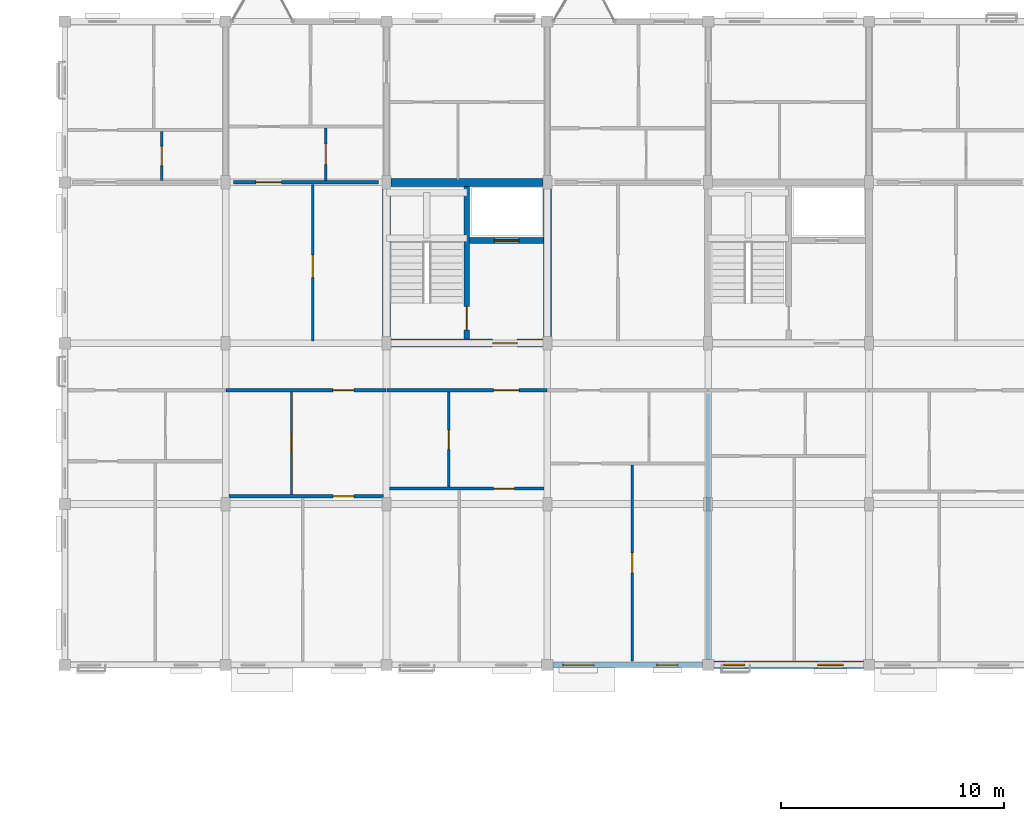
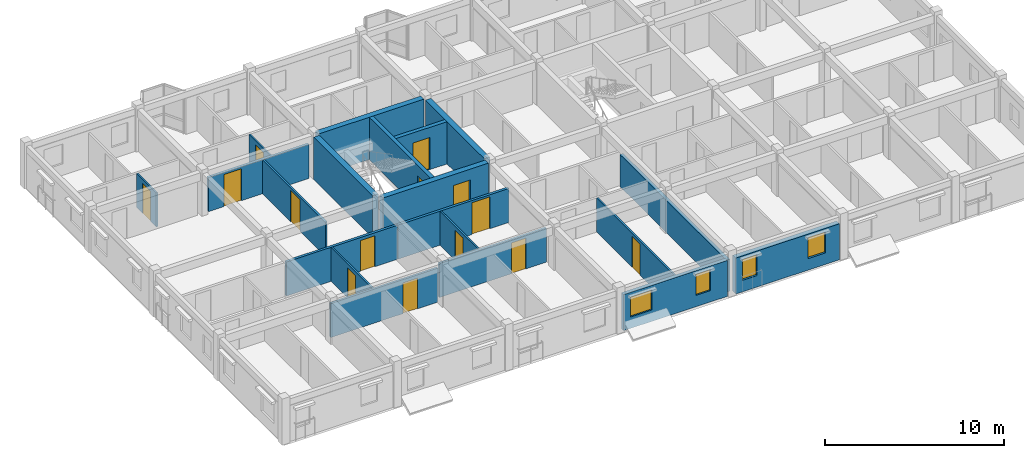
# One storey, part 27 of 38: 20 walls, 14 doors, 4 windows, 18 openings.
"""IFC4 building model written with IfcOpenShell, lengths in metres."""

from ifc_helpers import new_model, si_unit, direction, frame, frame_2d, origin, place, context, subcontext, project, spatial, rectangle, extrude, material, layer, layer_set, type_object, element, fill, save


model = new_model("IFC4")

# Units and contexts
model_context = context("Model", 3, precision=1e-05, world=origin(), true_north=direction((0.0, 1.0)))
body_context = subcontext(model_context, "Body", "Model", "MODEL_VIEW")
ifc_project = project(units=[si_unit("LENGTHUNIT", "METRE"), si_unit("AREAUNIT", "SQUARE_METRE"), si_unit("VOLUMEUNIT", "CUBIC_METRE"), si_unit("PLANEANGLEUNIT", "RADIAN"), si_unit("MASSUNIT", "GRAM", prefix="KILO"), si_unit("THERMODYNAMICTEMPERATUREUNIT", "KELVIN"), si_unit("POWERUNIT", "WATT")], contexts=[model_context])

# Site, building, storey
site_placement = place(None, origin())
site = spatial("IfcSite", under=ifc_project, at=site_placement, CompositionType="ELEMENT")
building_placement = place(site_placement, origin())
building = spatial("IfcBuilding", under=site, at=building_placement, Name="Tavuni Mirador Residences", CompositionType="ELEMENT")
storey_placement = place(building_placement, frame((0.0, 0.0, 32.85009765625)))
storey = spatial("IfcBuildingStorey", under=building, at=storey_placement, Name="L10", CompositionType="ELEMENT", Elevation=32.85009765625)

# Wall, opening, door
ifc_material_1 = material(Name="Precast concrete C40/50", Category="concrete")
ifc_layer_1 = layer(ifc_material_1, 0.25, Name="Precast concrete C40/50", Category="concrete")
ifc_layer_set_1 = layer_set([ifc_layer_1], Name="Precast concrete C40/50")
wall_type_1 = type_object("IfcWallType", Name="WT-COR250", PredefinedType="SHEAR", material=ifc_layer_set_1)
wall_1_placement = place(storey_placement, frame((28.800048828125, 158.580078125, 0.0), z_axis=(0.0, 0.0, 1.0), x_axis=(0.0, 1.0, 0.0)))
wall_1 = element("IfcWall", 1, at=wall_1_placement, inside=storey, type_object=wall_type_1, Name="CWALL-C5-L10-MID", PredefinedType="SHEAR", context=body_context, shape_type="SweptSolid", body=[
    extrude(rectangle(XDim=6.83984375, YDim=0.25, at=frame_2d((3.419921875, 0.0))), origin(), (0.0, 0.0, 1.0), 2.885009765625),
])
opening_1_placement = place(wall_1_placement, frame((0.419921875, 0.0, 0.0)))
opening_1 = element("IfcOpeningElement", 2, at=opening_1_placement, cuts=wall_1, Name="Opening D-01", PredefinedType="OPENING", context=body_context, shape_type="SweptSolid", body=[
    extrude(rectangle(XDim=1.050048828125, YDim=2.14990234375, at=frame_2d((0.52490234375, 1.074951171875))), frame((0.0, 0.135009765625, 0.0), z_axis=(0.0, -1.0, 0.0), x_axis=(1.0, 0.0, 0.0)), (0.0, 0.0, 1.0), 0.27001953125),
])
ifc_material_2 = material(Name="Solid core iroko timber", Category="wood")
door_type_1 = type_object("IfcDoorType", Name="DT-ST1050", OperationType="NOTDEFINED", PredefinedType="DOOR", material=ifc_material_2)
door_1_placement = place(opening_1_placement, origin())
door_1 = element("IfcDoor", 3, at=door_1_placement, inside=storey, type_object=door_type_1, Name="DR-2205", OperationType="SINGLE_SWING_LEFT", OverallHeight=2.14990234375, OverallWidth=1.050048828125, PredefinedType="DOOR", context=body_context, shape_type="SweptSolid", body=[
    extrude(rectangle(XDim=1.050048828125, YDim=2.14990234375, at=frame_2d((0.52490234375, 1.074951171875))), frame((0.0, 0.02490234375, 0.0), z_axis=(0.0, -1.0, 0.0), x_axis=(1.0, 0.0, 0.0)), (0.0, 0.0, 1.0), 0.050048828125),
])
fill(opening_1, door_1)

wall_2_placement = place(storey_placement, frame((28.925048828125, 163.0, 0.0), z_axis=(0.0, 0.0, 1.0), x_axis=(1.0, 0.0, 0.0)))
wall_2 = element("IfcWall", 4, at=wall_2_placement, inside=storey, type_object=wall_type_1, Name="CWALL-C5-L10-SHF", PredefinedType="SHEAR", context=body_context, shape_type="SweptSolid", body=[
    extrude(rectangle(XDim=3.294921875, YDim=0.25, at=frame_2d((1.6474609375, 0.0))), origin(), (0.0, 0.0, 1.0), 2.885009765625),
])
opening_2_placement = place(wall_2_placement, frame((1.10009765625, 0.0, 0.0)))
opening_2 = element("IfcOpeningElement", 5, at=opening_2_placement, cuts=wall_2, Name="Opening LD-01", PredefinedType="OPENING", context=body_context, shape_type="SweptSolid", body=[
    extrude(rectangle(XDim=1.10009765625, YDim=2.199951171875, at=frame_2d((0.550048828125, 1.10009765625))), frame((0.0, 0.135009765625, 0.0), z_axis=(0.0, -1.0, 0.0), x_axis=(1.0, 0.0, 0.0)), (0.0, 0.0, 1.0), 0.27001953125),
])
ifc_material_3 = material(Name="Structural steel S355", Category="steel")
door_type_2 = type_object("IfcDoorType", Name="DT-LD-FF", OperationType="SLIDING_TO_LEFT", PredefinedType="DOOR", material=ifc_material_3)
door_2_placement = place(opening_2_placement, origin())
door_2 = element("IfcDoor", 6, at=door_2_placement, inside=storey, type_object=door_type_2, Name="Lift landing door FL-C1 L10", OperationType="SLIDING_TO_LEFT", OverallHeight=2.199951171875, OverallWidth=1.10009765625, PredefinedType="DOOR", context=body_context, shape_type="SweptSolid", body=[
    extrude(rectangle(XDim=1.10009765625, YDim=2.199951171875, at=frame_2d((0.550048828125, 1.10009765625))), frame((0.0, 0.02490234375, 0.0), z_axis=(0.0, -1.0, 0.0), x_axis=(1.0, 0.0, 0.0)), (0.0, 0.0, 1.0), 0.050048828125),
])
fill(opening_2, door_2)

# Walls
ifc_layer_2 = layer(ifc_material_1, 0.360107421875, Name="Precast concrete C40/50", Category="concrete")
ifc_layer_set_2 = layer_set([ifc_layer_2], Name="Precast concrete C40/50")
wall_type_2 = type_object("IfcWallType", Name="WT-COR360", PredefinedType="SHEAR", material=ifc_layer_set_2)
wall_3_placement = place(storey_placement, frame((25.199951171875, 158.699951171875, 0.0), z_axis=(0.0, 0.0, 1.0), x_axis=(0.0, 1.0, 0.0)))
element("IfcWall", 7, at=wall_3_placement, inside=storey, type_object=wall_type_2, Name="CWALL-C5-L10-W", PredefinedType="SHEAR", context=body_context, shape_type="SweptSolid", body=[
    extrude(rectangle(XDim=6.60009765625, YDim=0.360107421875, at=frame_2d((3.300048828125, 0.0))), origin(), (0.0, 0.0, 1.0), 2.885009765625),
])
wall_4_placement = place(storey_placement, frame((25.39990234375, 165.60009765625, 0.0), z_axis=(0.0, 0.0, 1.0), x_axis=(1.0, 0.0, 0.0)))
element("IfcWall", 8, at=wall_4_placement, inside=storey, type_object=wall_type_2, Name="CWALL-C5-L10-N", PredefinedType="SHEAR", context=body_context, shape_type="SweptSolid", body=[
    extrude(rectangle(XDim=6.800048828125, YDim=0.360107421875, at=frame_2d((3.39990234375, 0.0))), origin(), (0.0, 0.0, 1.0), 2.885009765625),
])
wall_5_placement = place(storey_placement, frame((32.39990234375, 158.699951171875, 0.0), z_axis=(0.0, 0.0, 1.0), x_axis=(0.0, 1.0, 0.0)))
element("IfcWall", 9, at=wall_5_placement, inside=storey, type_object=wall_type_2, Name="CWALL-C5-L10-E", PredefinedType="SHEAR", context=body_context, shape_type="SweptSolid", body=[
    extrude(rectangle(XDim=6.60009765625, YDim=0.360107421875, at=frame_2d((3.300048828125, 0.0))), origin(), (0.0, 0.0, 1.0), 2.885009765625),
])

# Wall, opening, door
wall_6_placement = place(storey_placement, frame((25.39990234375, 158.39990234375, 0.0), z_axis=(0.0, 0.0, 1.0), x_axis=(1.0, 0.0, 0.0)))
wall_6 = element("IfcWall", 10, at=wall_6_placement, inside=storey, type_object=wall_type_2, Name="CWALL-C5-L10-SS", PredefinedType="SHEAR", context=body_context, shape_type="SweptSolid", body=[
    extrude(rectangle(XDim=6.800048828125, YDim=0.360107421875, at=frame_2d((3.39990234375, 0.0))), origin(), (0.0, 0.0, 1.0), 2.885009765625),
])
opening_3_placement = place(wall_6_placement, frame((4.550048828125, 0.0, 0.0)))
opening_3 = element("IfcOpeningElement", 11, at=opening_3_placement, cuts=wall_6, Name="Opening D-02", PredefinedType="OPENING", context=body_context, shape_type="SweptSolid", body=[
    extrude(rectangle(XDim=1.10009765625, YDim=2.14990234375, at=frame_2d((0.550048828125, 1.074951171875))), frame((0.0, 0.18994140625, 0.0), z_axis=(0.0, -1.0, 0.0), x_axis=(1.0, 0.0, 0.0)), (0.0, 0.0, 1.0), 0.380126953125),
])
door_type_3 = type_object("IfcDoorType", Name="DT-LOB1100", OperationType="NOTDEFINED", PredefinedType="DOOR", material=ifc_material_2)
door_3_placement = place(opening_3_placement, frame((1.10009765625, 0.0, 0.0), z_axis=(0.0, 0.0, 1.0), x_axis=(-1.0, 0.0, 0.0)))
door_3 = element("IfcDoor", 12, at=door_3_placement, inside=storey, type_object=door_type_3, Name="DR-2204", OperationType="SINGLE_SWING_RIGHT", OverallHeight=2.14990234375, OverallWidth=1.10009765625, PredefinedType="DOOR", context=body_context, shape_type="SweptSolid", body=[
    extrude(rectangle(XDim=1.10009765625, YDim=2.14990234375, at=frame_2d((0.550048828125, 1.074951171875))), frame((0.0, 0.02490234375, 0.0), z_axis=(0.0, -1.0, 0.0), x_axis=(1.0, 0.0, 0.0)), (0.0, 0.0, 1.0), 0.050048828125),
])
fill(opening_3, door_3)

ifc_layer_3 = layer(ifc_material_1, 0.1650390625, Name="Precast concrete C40/50", Category="concrete")
ifc_layer_set_3 = layer_set([ifc_layer_3], Name="Precast concrete C40/50")
wall_type_3 = type_object("IfcWallType", Name="WT-CORR165", PredefinedType="PARTITIONING", material=ifc_layer_set_3)
wall_7_placement = place(storey_placement, frame((18.02001953125, 156.300048828125, 0.0), z_axis=(0.0, 0.0, 1.0), x_axis=(1.0, 0.0, 0.0)))
wall_7 = element("IfcWall", 13, at=wall_7_placement, inside=storey, type_object=wall_type_3, Name="CORW-BLK-C-L10-0-01", PredefinedType="PARTITIONING", context=body_context, shape_type="SweptSolid", body=[
    extrude(rectangle(XDim=7.159912109375, YDim=0.1650390625, at=frame_2d((3.580078125, 0.0))), origin(), (0.0, 0.0, 1.0), 2.31982421875),
])
opening_4_placement = place(wall_7_placement, frame((4.780029296875, 0.0, 0.0)))
opening_4 = element("IfcOpeningElement", 14, at=opening_4_placement, cuts=wall_7, Name="Opening D-19", PredefinedType="OPENING", context=body_context, shape_type="SweptSolid", body=[
    extrude(rectangle(XDim=0.93994140625, YDim=2.1201171875, at=frame_2d((0.469970703125, 1.06005859375))), frame((0.0, 0.092529296875, 0.0), z_axis=(0.0, -1.0, 0.0), x_axis=(1.0, 0.0, 0.0)), (0.0, 0.0, 1.0), 0.18505859375),
])
door_type_4 = type_object("IfcDoorType", Name="DT-FD60-940", OperationType="NOTDEFINED", PredefinedType="DOOR", material=ifc_material_2)
door_4_placement = place(opening_4_placement, origin())
door_4 = element("IfcDoor", 15, at=door_4_placement, inside=storey, type_object=door_type_4, Name="DR-2764", OperationType="SINGLE_SWING_LEFT", OverallHeight=2.1201171875, OverallWidth=0.93994140625, PredefinedType="DOOR", context=body_context, shape_type="SweptSolid", body=[
    extrude(rectangle(XDim=0.93994140625, YDim=2.1201171875, at=frame_2d((0.469970703125, 1.06005859375))), frame((0.0, 0.02490234375, 0.0), z_axis=(0.0, -1.0, 0.0), x_axis=(1.0, 0.0, 0.0)), (0.0, 0.0, 1.0), 0.050048828125),
])
fill(opening_4, door_4)

wall_8_placement = place(storey_placement, frame((25.219970703125, 156.300048828125, 0.0), z_axis=(0.0, 0.0, 1.0), x_axis=(1.0, 0.0, 0.0)))
wall_8 = element("IfcWall", 16, at=wall_8_placement, inside=storey, type_object=wall_type_3, Name="CORW-BLK-C-L10-0-02", PredefinedType="PARTITIONING", context=body_context, shape_type="SweptSolid", body=[
    extrude(rectangle(XDim=7.159912109375, YDim=0.1650390625, at=frame_2d((3.580078125, 0.0))), origin(), (0.0, 0.0, 1.0), 2.31982421875),
])
opening_5_placement = place(wall_8_placement, frame((4.780029296875, 0.0, 0.0)))
opening_5 = element("IfcOpeningElement", 17, at=opening_5_placement, cuts=wall_8, Name="Opening D-20", PredefinedType="OPENING", context=body_context, shape_type="SweptSolid", body=[
    extrude(rectangle(XDim=1.139892578125, YDim=2.179931640625, at=frame_2d((0.56982421875, 1.08984375))), frame((0.0, 0.092529296875, 0.0), z_axis=(0.0, -1.0, 0.0), x_axis=(1.0, 0.0, 0.0)), (0.0, 0.0, 1.0), 0.18505859375),
])
door_type_5 = type_object("IfcDoorType", Name="DT-FD60-1140", OperationType="NOTDEFINED", PredefinedType="DOOR", material=ifc_material_2)
door_5_placement = place(opening_5_placement, origin())
door_5 = element("IfcDoor", 18, at=door_5_placement, inside=storey, type_object=door_type_5, Name="DR-2765", OperationType="SINGLE_SWING_RIGHT", OverallHeight=2.179931640625, OverallWidth=1.139892578125, PredefinedType="DOOR", context=body_context, shape_type="SweptSolid", body=[
    extrude(rectangle(XDim=1.139892578125, YDim=2.179931640625, at=frame_2d((0.56982421875, 1.08984375))), frame((0.0, 0.02490234375, 0.0), z_axis=(0.0, -1.0, 0.0), x_axis=(1.0, 0.0, 0.0)), (0.0, 0.0, 1.0), 0.050048828125),
])
fill(opening_5, door_5)

wall_9_placement = place(storey_placement, frame((18.35009765625, 165.60009765625, 0.0), z_axis=(0.0, 0.0, 1.0), x_axis=(1.0, 0.0, 0.0)))
wall_9 = element("IfcWall", 19, at=wall_9_placement, inside=storey, type_object=wall_type_3, Name="CORW-BLK-C-L10-1-01", PredefinedType="PARTITIONING", context=body_context, shape_type="SweptSolid", body=[
    extrude(rectangle(XDim=6.5, YDim=0.1650390625, at=frame_2d((3.25, 0.0))), origin(), (0.0, 0.0, 1.0), 2.31982421875),
])
opening_6_placement = place(wall_9_placement, frame((1.0, 0.0, 0.0)))
opening_6 = element("IfcOpeningElement", 20, at=opening_6_placement, cuts=wall_9, Name="Opening D-20", PredefinedType="OPENING", context=body_context, shape_type="SweptSolid", body=[
    extrude(rectangle(XDim=1.139892578125, YDim=2.179931640625, at=frame_2d((0.56982421875, 1.08984375))), frame((0.0, 0.092529296875, 0.0), z_axis=(0.0, -1.0, 0.0), x_axis=(1.0, 0.0, 0.0)), (0.0, 0.0, 1.0), 0.18505859375),
])
door_6_placement = place(opening_6_placement, origin())
door_6 = element("IfcDoor", 21, at=door_6_placement, inside=storey, type_object=door_type_5, Name="DR-2771", OperationType="SINGLE_SWING_RIGHT", OverallHeight=2.179931640625, OverallWidth=1.139892578125, PredefinedType="DOOR", context=body_context, shape_type="SweptSolid", body=[
    extrude(rectangle(XDim=1.139892578125, YDim=2.179931640625, at=frame_2d((0.56982421875, 1.08984375))), frame((0.0, 0.02490234375, 0.0), z_axis=(0.0, -1.0, 0.0), x_axis=(1.0, 0.0, 0.0)), (0.0, 0.0, 1.0), 0.050048828125),
])
fill(opening_6, door_6)

# Wall, openings, windows
ifc_layer_4 = layer(ifc_material_1, 0.330078125, Name="Precast concrete C40/50", Category="concrete")
ifc_layer_set_4 = layer_set([ifc_layer_4], Name="Precast concrete C40/50")
wall_type_4 = type_object("IfcWallType", Name="WT-EXT-COR330", PredefinedType="SOLIDWALL", material=ifc_layer_set_4)
wall_10_placement = place(storey_placement, frame((39.85009765625, 144.0, 0.0), z_axis=(0.0, 0.0, 1.0), x_axis=(1.0, 0.0, 0.0)))
wall_10 = element("IfcWall", 22, at=wall_10_placement, inside=storey, type_object=wall_type_4, Name="EW-BLK-C-L10-S04", PredefinedType="SOLIDWALL", context=body_context, shape_type="SweptSolid", body=[
    extrude(rectangle(XDim=6.699951171875, YDim=0.330078125, at=frame_2d((3.35009765625, 0.0))), origin(), (0.0, 0.0, 1.0), 2.454833984375),
])
opening_7_placement = place(wall_10_placement, frame((0.449951171875, 0.0, 0.780029296875)))
opening_7 = element("IfcOpeningElement", 23, at=opening_7_placement, cuts=wall_10, Name="Opening WN-25", PredefinedType="OPENING", context=body_context, shape_type="SweptSolid", body=[
    extrude(rectangle(XDim=0.93994140625, YDim=1.43994140625, at=frame_2d((0.469970703125, 0.719970703125))), frame((0.0, 0.175048828125, 0.0), z_axis=(0.0, -1.0, 0.0), x_axis=(1.0, 0.0, 0.0)), (0.0, 0.0, 1.0), 0.35009765625),
])
opening_8_placement = place(wall_10_placement, frame((4.64990234375, 0.0, 0.780029296875)))
opening_8 = element("IfcOpeningElement", 24, at=opening_8_placement, cuts=wall_10, Name="Opening WN-27", PredefinedType="OPENING", context=body_context, shape_type="SweptSolid", body=[
    extrude(rectangle(XDim=1.14990234375, YDim=1.43994140625, at=frame_2d((0.574951171875, 0.719970703125))), frame((0.0, 0.175048828125, 0.0), z_axis=(0.0, -1.0, 0.0), x_axis=(1.0, 0.0, 0.0)), (0.0, 0.0, 1.0), 0.35009765625),
])
ifc_material_4 = material(Name="Laminated solar-control glass", Category="glass")
window_type_1 = type_object("IfcWindowType", Name="WNT-25", PartitioningType="SINGLE_PANEL", PredefinedType="WINDOW", material=ifc_material_4)
window_1_placement = place(opening_7_placement, origin())
window_1 = element("IfcWindow", 25, at=window_1_placement, inside=storey, type_object=window_type_1, Name="WIN-1274", OverallHeight=1.43994140625, OverallWidth=0.93994140625, PartitioningType="SINGLE_PANEL", PredefinedType="WINDOW", context=body_context, shape_type="SweptSolid", body=[
    extrude(rectangle(XDim=0.93994140625, YDim=1.43994140625, at=frame_2d((0.469970703125, 0.719970703125))), frame((0.0, 0.030029296875, 0.0), z_axis=(0.0, -1.0, 0.0), x_axis=(1.0, 0.0, 0.0)), (0.0, 0.0, 1.0), 0.06005859375),
])
fill(opening_7, window_1)
window_type_2 = type_object("IfcWindowType", Name="WNT-27", PartitioningType="SINGLE_PANEL", PredefinedType="WINDOW", material=ifc_material_4)
window_2_placement = place(opening_8_placement, origin())
window_2 = element("IfcWindow", 26, at=window_2_placement, inside=storey, type_object=window_type_2, Name="WIN-1275", OverallHeight=1.43994140625, OverallWidth=1.14990234375, PartitioningType="SINGLE_PANEL", PredefinedType="WINDOW", context=body_context, shape_type="SweptSolid", body=[
    extrude(rectangle(XDim=1.14990234375, YDim=1.43994140625, at=frame_2d((0.574951171875, 0.719970703125))), frame((0.0, 0.030029296875, 0.0), z_axis=(0.0, -1.0, 0.0), x_axis=(1.0, 0.0, 0.0)), (0.0, 0.0, 1.0), 0.06005859375),
])
fill(opening_8, window_2)

ifc_material_5 = material(Name="Sgraffito lime-rendered precast concrete C40/50", Category="concrete")
ifc_layer_5 = layer(ifc_material_5, 0.2451171875, Name="Sgraffito lime-rendered precast concrete C40/50", Category="concrete")
ifc_layer_set_5 = layer_set([ifc_layer_5], Name="Sgraffito lime-rendered precast concrete C40/50")
wall_type_5 = type_object("IfcWallType", Name="WT-EXT-PC245", PredefinedType="SOLIDWALL", material=ifc_layer_set_5)
wall_11_placement = place(storey_placement, frame((32.64990234375, 144.0, 0.0), z_axis=(0.0, 0.0, 1.0), x_axis=(1.0, 0.0, 0.0)))
wall_11 = element("IfcWall", 27, at=wall_11_placement, inside=storey, type_object=wall_type_5, Name="EW-BLK-C-L10-S03", PredefinedType="SOLIDWALL", context=body_context, shape_type="SweptSolid", body=[
    extrude(rectangle(XDim=6.7001953125, YDim=0.2451171875, at=frame_2d((3.35009765625, 0.0))), origin(), (0.0, 0.0, 1.0), 2.454833984375),
])
opening_9_placement = place(wall_11_placement, frame((0.449951171875, 0.0, 0.780029296875)))
opening_9 = element("IfcOpeningElement", 28, at=opening_9_placement, cuts=wall_11, Name="Opening WN-23", PredefinedType="OPENING", context=body_context, shape_type="SweptSolid", body=[
    extrude(rectangle(XDim=1.3798828125, YDim=1.360107421875, at=frame_2d((0.68994140625, 0.68017578125))), frame((0.0, 0.132568359375, 0.0), z_axis=(0.0, -1.0, 0.0), x_axis=(1.0, 0.0, 0.0)), (0.0, 0.0, 1.0), 0.26513671875),
])
opening_10_placement = place(wall_11_placement, frame((4.64990234375, 0.0, 0.780029296875)))
opening_10 = element("IfcOpeningElement", 29, at=opening_10_placement, cuts=wall_11, Name="Opening WN-25", PredefinedType="OPENING", context=body_context, shape_type="SweptSolid", body=[
    extrude(rectangle(XDim=0.93994140625, YDim=1.43994140625, at=frame_2d((0.469970703125, 0.719970703125))), frame((0.0, 0.132568359375, 0.0), z_axis=(0.0, -1.0, 0.0), x_axis=(1.0, 0.0, 0.0)), (0.0, 0.0, 1.0), 0.26513671875),
])
window_type_3 = type_object("IfcWindowType", Name="WNT-23", PartitioningType="SINGLE_PANEL", PredefinedType="WINDOW", material=ifc_material_4)
window_3_placement = place(opening_9_placement, origin())
window_3 = element("IfcWindow", 30, at=window_3_placement, inside=storey, type_object=window_type_3, Name="WIN-1272", OverallHeight=1.360107421875, OverallWidth=1.3798828125, PartitioningType="SINGLE_PANEL", PredefinedType="WINDOW", context=body_context, shape_type="SweptSolid", body=[
    extrude(rectangle(XDim=1.3798828125, YDim=1.360107421875, at=frame_2d((0.68994140625, 0.68017578125))), frame((0.0, 0.030029296875, 0.0), z_axis=(0.0, -1.0, 0.0), x_axis=(1.0, 0.0, 0.0)), (0.0, 0.0, 1.0), 0.06005859375),
])
fill(opening_9, window_3)
window_4_placement = place(opening_10_placement, origin())
window_4 = element("IfcWindow", 31, at=window_4_placement, inside=storey, type_object=window_type_1, Name="WIN-1273", OverallHeight=1.43994140625, OverallWidth=0.93994140625, PartitioningType="SINGLE_PANEL", PredefinedType="WINDOW", context=body_context, shape_type="SweptSolid", body=[
    extrude(rectangle(XDim=0.93994140625, YDim=1.43994140625, at=frame_2d((0.469970703125, 0.719970703125))), frame((0.0, 0.030029296875, 0.0), z_axis=(0.0, -1.0, 0.0), x_axis=(1.0, 0.0, 0.0)), (0.0, 0.0, 1.0), 0.06005859375),
])
fill(opening_10, window_4)

# Wall, opening, door
ifc_material_6 = material(Name="Acoustic gypsum and concrete block partition", Category="concrete")
ifc_layer_6 = layer(ifc_material_6, 0.094970703125, Name="Acoustic gypsum and concrete block partition", Category="concrete")
ifc_layer_set_6 = layer_set([ifc_layer_6], Name="Acoustic gypsum and concrete block partition")
wall_type_6 = type_object("IfcWallType", Name="WT-PART095", PredefinedType="PARTITIONING", material=ifc_layer_set_6)
wall_12_placement = place(storey_placement, frame((22.47998046875, 165.68994140625, 0.0), z_axis=(0.0, 0.0, 1.0), x_axis=(0.0, 1.0, 0.0)))
wall_12 = element("IfcWall", 32, at=wall_12_placement, inside=storey, type_object=wall_type_6, Name="PW-BLK-C-L10-N01-IN1", PredefinedType="PARTITIONING", context=body_context, shape_type="SweptSolid", body=[
    extrude(rectangle(XDim=2.340087890625, YDim=0.094970703125, at=frame_2d((1.169921875, 0.0))), origin(), (0.0, 0.0, 1.0), 2.31982421875),
])
opening_11_placement = place(wall_12_placement, frame((0.719970703125, 0.0, 0.0)))
opening_11 = element("IfcOpeningElement", 33, at=opening_11_placement, cuts=wall_12, Name="Opening D-09", PredefinedType="OPENING", context=body_context, shape_type="SweptSolid", body=[
    extrude(rectangle(XDim=0.89990234375, YDim=2.050048828125, at=frame_2d((0.449951171875, 1.02490234375))), frame((0.0, 0.0576171875, 0.0), z_axis=(0.0, -1.0, 0.0), x_axis=(1.0, 0.0, 0.0)), (0.0, 0.0, 1.0), 0.114990234375),
])
door_type_6 = type_object("IfcDoorType", Name="DT-WC900", OperationType="NOTDEFINED", PredefinedType="DOOR", material=ifc_material_2)
door_7_placement = place(opening_11_placement, origin())
door_7 = element("IfcDoor", 34, at=door_7_placement, inside=storey, type_object=door_type_6, Name="DR-4166", OperationType="SINGLE_SWING_LEFT", OverallHeight=2.050048828125, OverallWidth=0.89990234375, PredefinedType="DOOR", context=body_context, shape_type="SweptSolid", body=[
    extrude(rectangle(XDim=0.89990234375, YDim=2.050048828125, at=frame_2d((0.449951171875, 1.02490234375))), frame((0.0, 0.02490234375, 0.0), z_axis=(0.0, -1.0, 0.0), x_axis=(1.0, 0.0, 0.0)), (0.0, 0.0, 1.0), 0.050048828125),
])
fill(opening_11, door_7)

ifc_layer_7 = layer(ifc_material_6, 0.10498046875, Name="Acoustic gypsum and concrete block partition", Category="concrete")
ifc_layer_set_7 = layer_set([ifc_layer_7], Name="Acoustic gypsum and concrete block partition")
wall_type_7 = type_object("IfcWallType", Name="WT-PART105", PredefinedType="PARTITIONING", material=ifc_layer_set_7)
wall_13_placement = place(storey_placement, frame((15.139892578125, 165.68994140625, 0.0), z_axis=(0.0, 0.0, 1.0), x_axis=(0.0, 1.0, 0.0)))
wall_13 = element("IfcWall", 35, at=wall_13_placement, inside=storey, type_object=wall_type_7, Name="PW-BLK-C-L10-N00-IN1", PredefinedType="PARTITIONING", context=body_context, shape_type="SweptSolid", body=[
    extrude(rectangle(XDim=2.18017578125, YDim=0.10498046875, at=frame_2d((1.090087890625, 0.0))), origin(), (0.0, 0.0, 1.0), 2.31982421875),
])
opening_12_placement = place(wall_13_placement, frame((0.655029296875, 0.0, 0.0)))
opening_12 = element("IfcOpeningElement", 36, at=opening_12_placement, cuts=wall_13, Name="Opening D-10", PredefinedType="OPENING", context=body_context, shape_type="SweptSolid", body=[
    extrude(rectangle(XDim=0.8701171875, YDim=2.050048828125, at=frame_2d((0.43505859375, 1.02490234375))), frame((0.0, 0.0625, 0.0), z_axis=(0.0, -1.0, 0.0), x_axis=(1.0, 0.0, 0.0)), (0.0, 0.0, 1.0), 0.125),
])
door_type_7 = type_object("IfcDoorType", Name="DT-WC870", OperationType="NOTDEFINED", PredefinedType="DOOR", material=ifc_material_2)
door_8_placement = place(opening_12_placement, origin())
door_8 = element("IfcDoor", 37, at=door_8_placement, inside=storey, type_object=door_type_7, Name="DR-4159", OperationType="SINGLE_SWING_RIGHT", OverallHeight=2.050048828125, OverallWidth=0.8701171875, PredefinedType="DOOR", context=body_context, shape_type="SweptSolid", body=[
    extrude(rectangle(XDim=0.8701171875, YDim=2.050048828125, at=frame_2d((0.43505859375, 1.02490234375))), frame((0.0, 0.02490234375, 0.0), z_axis=(0.0, -1.0, 0.0), x_axis=(1.0, 0.0, 0.0)), (0.0, 0.0, 1.0), 0.050048828125),
])
fill(opening_12, door_8)

wall_14_placement = place(storey_placement, frame((20.949951171875, 151.6201171875, 0.0), z_axis=(0.0, 0.0, 1.0), x_axis=(0.0, 1.0, 0.0)))
wall_14 = element("IfcWall", 38, at=wall_14_placement, inside=storey, type_object=wall_type_7, Name="PW-BLK-C-L10-S01-IN1", PredefinedType="PARTITIONING", context=body_context, shape_type="SweptSolid", body=[
    extrude(rectangle(XDim=4.58984375, YDim=0.10498046875, at=frame_2d((2.294921875, 0.0))), origin(), (0.0, 0.0, 1.0), 2.31982421875),
])
opening_13_placement = place(wall_14_placement, frame((1.844970703125, 0.0, 0.0)))
opening_13 = element("IfcOpeningElement", 39, at=opening_13_placement, cuts=wall_14, Name="Opening D-09", PredefinedType="OPENING", context=body_context, shape_type="SweptSolid", body=[
    extrude(rectangle(XDim=0.89990234375, YDim=2.050048828125, at=frame_2d((0.449951171875, 1.02490234375))), frame((0.0, 0.0625, 0.0), z_axis=(0.0, -1.0, 0.0), x_axis=(1.0, 0.0, 0.0)), (0.0, 0.0, 1.0), 0.125),
])
door_9_placement = place(opening_13_placement, origin())
door_9 = element("IfcDoor", 40, at=door_9_placement, inside=storey, type_object=door_type_6, Name="DR-4163", OperationType="SINGLE_SWING_LEFT", OverallHeight=2.050048828125, OverallWidth=0.89990234375, PredefinedType="DOOR", context=body_context, shape_type="SweptSolid", body=[
    extrude(rectangle(XDim=0.89990234375, YDim=2.050048828125, at=frame_2d((0.449951171875, 1.02490234375))), frame((0.0, 0.02490234375, 0.0), z_axis=(0.0, -1.0, 0.0), x_axis=(1.0, 0.0, 0.0)), (0.0, 0.0, 1.0), 0.050048828125),
])
fill(opening_13, door_9)

wall_15_placement = place(storey_placement, frame((27.97998046875, 151.9599609375, 0.0), z_axis=(0.0, 0.0, 1.0), x_axis=(0.0, 1.0, 0.0)))
wall_15 = element("IfcWall", 41, at=wall_15_placement, inside=storey, type_object=wall_type_7, Name="PW-BLK-C-L10-S02-IN1", PredefinedType="PARTITIONING", context=body_context, shape_type="SweptSolid", body=[
    extrude(rectangle(XDim=4.25, YDim=0.10498046875, at=frame_2d((2.125, 0.0))), origin(), (0.0, 0.0, 1.0), 2.31982421875),
])
opening_14_placement = place(wall_15_placement, frame((1.68994140625, 0.0, 0.0)))
opening_14 = element("IfcOpeningElement", 42, at=opening_14_placement, cuts=wall_15, Name="Opening D-10", PredefinedType="OPENING", context=body_context, shape_type="SweptSolid", body=[
    extrude(rectangle(XDim=0.8701171875, YDim=2.050048828125, at=frame_2d((0.43505859375, 1.02490234375))), frame((0.0, 0.0625, 0.0), z_axis=(0.0, -1.0, 0.0), x_axis=(1.0, 0.0, 0.0)), (0.0, 0.0, 1.0), 0.125),
])
door_10_placement = place(opening_14_placement, origin())
door_10 = element("IfcDoor", 43, at=door_10_placement, inside=storey, type_object=door_type_7, Name="DR-4169", OperationType="SINGLE_SWING_RIGHT", OverallHeight=2.050048828125, OverallWidth=0.8701171875, PredefinedType="DOOR", context=body_context, shape_type="SweptSolid", body=[
    extrude(rectangle(XDim=0.8701171875, YDim=2.050048828125, at=frame_2d((0.43505859375, 1.02490234375))), frame((0.0, 0.02490234375, 0.0), z_axis=(0.0, -1.0, 0.0), x_axis=(1.0, 0.0, 0.0)), (0.0, 0.0, 1.0), 0.050048828125),
])
fill(opening_14, door_10)

ifc_layer_8 = layer(ifc_material_6, 0.114990234375, Name="Acoustic gypsum and concrete block partition", Category="concrete")
ifc_layer_set_8 = layer_set([ifc_layer_8], Name="Acoustic gypsum and concrete block partition")
wall_type_8 = type_object("IfcWallType", Name="WT-PART115", PredefinedType="PARTITIONING", material=ifc_layer_set_8)
wall_16_placement = place(storey_placement, frame((36.199951171875, 144.175048828125, 0.0), z_axis=(0.0, 0.0, 1.0), x_axis=(0.0, 1.0, 0.0)))
wall_16 = element("IfcWall", 44, at=wall_16_placement, inside=storey, type_object=wall_type_8, Name="PW-BLK-C-L10-S03-OUT", PredefinedType="PARTITIONING", context=body_context, shape_type="SweptSolid", body=[
    extrude(rectangle(XDim=8.77490234375, YDim=0.114990234375, at=frame_2d((4.387451171875, 0.0))), origin(), (0.0, 0.0, 1.0), 2.31982421875),
])
opening_15_placement = place(wall_16_placement, frame((3.9375, 0.0, 0.0)))
opening_15 = element("IfcOpeningElement", 45, at=opening_15_placement, cuts=wall_16, Name="Opening D-07", PredefinedType="OPENING", context=body_context, shape_type="SweptSolid", body=[
    extrude(rectangle(XDim=0.89990234375, YDim=2.10009765625, at=frame_2d((0.449951171875, 1.050048828125))), frame((0.0, 0.0673828125, 0.0), z_axis=(0.0, -1.0, 0.0), x_axis=(1.0, 0.0, 0.0)), (0.0, 0.0, 1.0), 0.135009765625),
])
door_type_8 = type_object("IfcDoorType", Name="DT-BED900", OperationType="NOTDEFINED", PredefinedType="DOOR", material=ifc_material_2)
door_11_placement = place(opening_15_placement, origin())
door_11 = element("IfcDoor", 46, at=door_11_placement, inside=storey, type_object=door_type_8, Name="DR-4174", OperationType="SINGLE_SWING_RIGHT", OverallHeight=2.10009765625, OverallWidth=0.89990234375, PredefinedType="DOOR", context=body_context, shape_type="SweptSolid", body=[
    extrude(rectangle(XDim=0.89990234375, YDim=2.10009765625, at=frame_2d((0.449951171875, 1.050048828125))), frame((0.0, 0.02490234375, 0.0), z_axis=(0.0, -1.0, 0.0), x_axis=(1.0, 0.0, 0.0)), (0.0, 0.0, 1.0), 0.050048828125),
])
fill(opening_15, door_11)

ifc_layer_9 = layer(ifc_material_6, 0.125, Name="Acoustic gypsum and concrete block partition", Category="concrete")
ifc_layer_set_9 = layer_set([ifc_layer_9], Name="Acoustic gypsum and concrete block partition")
wall_type_9 = type_object("IfcWallType", Name="WT-PART125", PredefinedType="PARTITIONING", material=ifc_layer_set_9)
wall_17_placement = place(storey_placement, frame((21.89990234375, 158.489990234375, 0.0), z_axis=(0.0, 0.0, 1.0), x_axis=(0.0, 1.0, 0.0)))
wall_17 = element("IfcWall", 47, at=wall_17_placement, inside=storey, type_object=wall_type_9, Name="PW-SPN-BLK-C-L10-01", PredefinedType="PARTITIONING", context=body_context, shape_type="SweptSolid", body=[
    extrude(rectangle(XDim=7.02001953125, YDim=0.125, at=frame_2d((3.510009765625, 0.0))), origin(), (0.0, 0.0, 1.0), 2.31982421875),
])
opening_16_placement = place(wall_17_placement, frame((2.85009765625, 0.0, 0.0)))
opening_16 = element("IfcOpeningElement", 48, at=opening_16_placement, cuts=wall_17, Name="Opening D-13", PredefinedType="OPENING", context=body_context, shape_type="SweptSolid", body=[
    extrude(rectangle(XDim=1.02001953125, YDim=2.14990234375, at=frame_2d((0.510009765625, 1.074951171875))), frame((0.0, 0.072509765625, 0.0), z_axis=(0.0, -1.0, 0.0), x_axis=(1.0, 0.0, 0.0)), (0.0, 0.0, 1.0), 0.14501953125),
])
door_type_9 = type_object("IfcDoorType", Name="DT-MTG1020", OperationType="NOTDEFINED", PredefinedType="DOOR", material=ifc_material_2)
door_12_placement = place(opening_16_placement, origin())
door_12 = element("IfcDoor", 49, at=door_12_placement, inside=storey, type_object=door_type_9, Name="DR-4161", OperationType="SINGLE_SWING_RIGHT", OverallHeight=2.14990234375, OverallWidth=1.02001953125, PredefinedType="DOOR", context=body_context, shape_type="SweptSolid", body=[
    extrude(rectangle(XDim=1.02001953125, YDim=2.14990234375, at=frame_2d((0.510009765625, 1.074951171875))), frame((0.0, 0.02490234375, 0.0), z_axis=(0.0, -1.0, 0.0), x_axis=(1.0, 0.0, 0.0)), (0.0, 0.0, 1.0), 0.050048828125),
])
fill(opening_16, door_12)

ifc_layer_10 = layer(ifc_material_6, 0.139892578125, Name="Acoustic gypsum and concrete block partition", Category="concrete")
ifc_layer_set_10 = layer_set([ifc_layer_10], Name="Acoustic gypsum and concrete block partition")
wall_type_10 = type_object("IfcWallType", Name="WT-PART140", PredefinedType="PARTITIONING", material=ifc_layer_set_10)
wall_18_placement = place(storey_placement, frame((18.139892578125, 151.550048828125, 0.0), z_axis=(0.0, 0.0, 1.0), x_axis=(1.0, 0.0, 0.0)))
wall_18 = element("IfcWall", 50, at=wall_18_placement, inside=storey, type_object=wall_type_10, Name="PW-BLK-C-L10-S01-MID", PredefinedType="PARTITIONING", context=body_context, shape_type="SweptSolid", body=[
    extrude(rectangle(XDim=6.920166015625, YDim=0.139892578125, at=frame_2d((3.4599609375, 0.0))), origin(), (0.0, 0.0, 1.0), 2.31982421875),
])
opening_17_placement = place(wall_18_placement, frame((4.659912109375, 0.0, 0.0)))
opening_17 = element("IfcOpeningElement", 51, at=opening_17_placement, cuts=wall_18, Name="Opening D-05", PredefinedType="OPENING", context=body_context, shape_type="SweptSolid", body=[
    extrude(rectangle(XDim=0.949951171875, YDim=2.10009765625, at=frame_2d((0.47509765625, 1.050048828125))), frame((0.0, 0.080078125, 0.0), z_axis=(0.0, -1.0, 0.0), x_axis=(1.0, 0.0, 0.0)), (0.0, 0.0, 1.0), 0.159912109375),
])
door_type_10 = type_object("IfcDoorType", Name="DT-INT950", OperationType="NOTDEFINED", PredefinedType="DOOR", material=ifc_material_2)
door_13_placement = place(opening_17_placement, origin())
door_13 = element("IfcDoor", 52, at=door_13_placement, inside=storey, type_object=door_type_10, Name="DR-4164", OperationType="SINGLE_SWING_LEFT", OverallHeight=2.10009765625, OverallWidth=0.949951171875, PredefinedType="DOOR", context=body_context, shape_type="SweptSolid", body=[
    extrude(rectangle(XDim=0.949951171875, YDim=2.10009765625, at=frame_2d((0.47509765625, 1.050048828125))), frame((0.0, 0.02490234375, 0.0), z_axis=(0.0, -1.0, 0.0), x_axis=(1.0, 0.0, 0.0)), (0.0, 0.0, 1.0), 0.050048828125),
])
fill(opening_17, door_13)

wall_19_placement = place(storey_placement, frame((25.340087890625, 151.889892578125, 0.0), z_axis=(0.0, 0.0, 1.0), x_axis=(1.0, 0.0, 0.0)))
wall_19 = element("IfcWall", 53, at=wall_19_placement, inside=storey, type_object=wall_type_10, Name="PW-BLK-C-L10-S02-MID", PredefinedType="PARTITIONING", context=body_context, shape_type="SweptSolid", body=[
    extrude(rectangle(XDim=6.919921875, YDim=0.139892578125, at=frame_2d((3.4599609375, 0.0))), origin(), (0.0, 0.0, 1.0), 2.31982421875),
])
opening_18_placement = place(wall_19_placement, frame((4.659912109375, 0.0, 0.0)))
opening_18 = element("IfcOpeningElement", 54, at=opening_18_placement, cuts=wall_19, Name="Opening D-06", PredefinedType="OPENING", context=body_context, shape_type="SweptSolid", body=[
    extrude(rectangle(XDim=0.919921875, YDim=2.10009765625, at=frame_2d((0.4599609375, 1.050048828125))), frame((0.0, 0.080078125, 0.0), z_axis=(0.0, -1.0, 0.0), x_axis=(1.0, 0.0, 0.0)), (0.0, 0.0, 1.0), 0.159912109375),
])
door_type_11 = type_object("IfcDoorType", Name="DT-INT920", OperationType="NOTDEFINED", PredefinedType="DOOR", material=ifc_material_2)
door_14_placement = place(opening_18_placement, origin())
door_14 = element("IfcDoor", 55, at=door_14_placement, inside=storey, type_object=door_type_11, Name="DR-4170", OperationType="SINGLE_SWING_RIGHT", OverallHeight=2.10009765625, OverallWidth=0.919921875, PredefinedType="DOOR", context=body_context, shape_type="SweptSolid", body=[
    extrude(rectangle(XDim=0.919921875, YDim=2.10009765625, at=frame_2d((0.4599609375, 1.050048828125))), frame((0.0, 0.02490234375, 0.0), z_axis=(0.0, -1.0, 0.0), x_axis=(1.0, 0.0, 0.0)), (0.0, 0.0, 1.0), 0.050048828125),
])
fill(opening_18, door_14)

# Wall
ifc_layer_11 = layer(ifc_material_1, 0.215087890625, Name="Precast concrete C40/50", Category="concrete")
ifc_layer_set_11 = layer_set([ifc_layer_11], Name="Precast concrete C40/50")
wall_type_11 = type_object("IfcWallType", Name="WT-XW215", PredefinedType="SOLIDWALL", material=ifc_layer_set_11)
wall_20_placement = place(storey_placement, frame((39.60009765625, 144.25, 0.0), z_axis=(0.0, 0.0, 1.0), x_axis=(0.0, 1.0, 0.0)))
element("IfcWall", 56, at=wall_20_placement, inside=storey, type_object=wall_type_11, Name="XW-BLK-C-L10-S-04", PredefinedType="SOLIDWALL", context=body_context, shape_type="SweptSolid", body=[
    extrude(rectangle(XDim=11.89990234375, YDim=0.215087890625, at=frame_2d((5.949951171875, 0.0))), origin(), (0.0, 0.0, 1.0), 2.184814453125),
])

save(model, "model.ifc")
